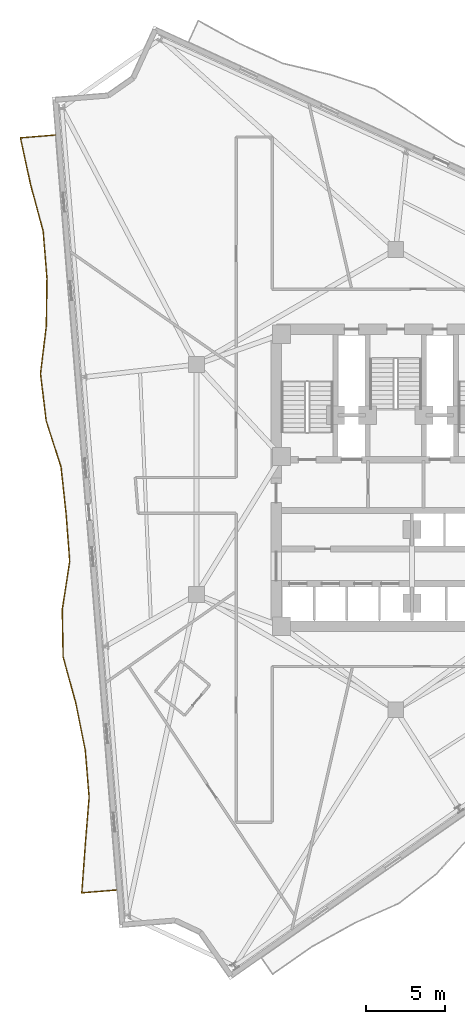
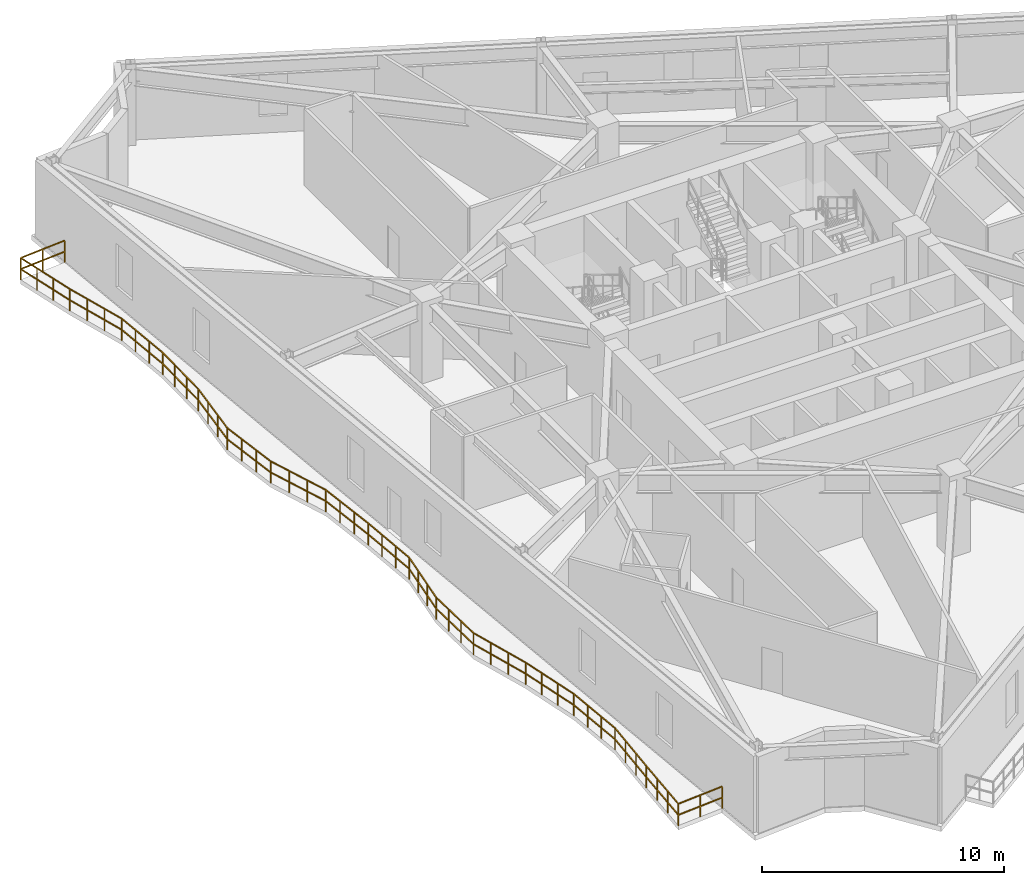
# One storey, part 8 of 11: 1 railing.
"""IFC4 building model written with IfcOpenShell, lengths in metres."""

from ifc_helpers import new_model, si_unit, direction, frame, origin, origin_2d, place, context, subcontext, project, spatial, rectangle, extrude, material, type_object, element, save


model = new_model("IFC4")

# Units and contexts
model_context = context("Model", 3, precision=1e-05, world=origin(), true_north=direction((0.0, 1.0)))
body_context = subcontext(model_context, "Body", "Model", "MODEL_VIEW")
ifc_project = project(units=[si_unit("LENGTHUNIT", "METRE"), si_unit("AREAUNIT", "SQUARE_METRE"), si_unit("VOLUMEUNIT", "CUBIC_METRE"), si_unit("PLANEANGLEUNIT", "RADIAN"), si_unit("MASSUNIT", "GRAM", prefix="KILO")], contexts=[model_context])

# Site, building, storey
site_placement = place(None, origin())
site = spatial("IfcSite", under=ifc_project, at=site_placement, CompositionType="ELEMENT")
building_placement = place(site_placement, origin())
building = spatial("IfcBuilding", under=site, at=building_placement, Name="Apsidion Concourse Tower", CompositionType="ELEMENT")
storey_placement = place(building_placement, frame((0.0, 0.0, 214.699951171875)))
storey = spatial("IfcBuildingStorey", under=building, at=storey_placement, Name="L50", CompositionType="ELEMENT", Elevation=214.699951171875)

# Railing
ifc_material = material(Name="Brushed stainless steel 316", Category="steel")
railing_type = type_object("IfcRailingType", Name="RL-BAL-1120", PredefinedType="BALUSTRADE", material=ifc_material)
railing_placement = place(storey_placement, frame((-17.59326171875, -25.86328125, 0.0)))
element("IfcRailing", 1, at=railing_placement, inside=storey, type_object=railing_type, Name="L50 Face 1 Rippling Balcony Balustrade", PredefinedType="BALUSTRADE", context=body_context, shape_type="SweptSolid", body=[
    extrude(rectangle(XDim=0.048095703125, YDim=0.048095703125, at=origin_2d()), frame((0.0, 0.0, 1.09619140625), z_axis=(-0.996719845004, -0.080929293683, 0.0), x_axis=(0.080929293683, -0.996719845004, 0.0)), (0.0, 0.0, 1.0), 2.1962890625),
    extrude(rectangle(XDim=0.048095703125, YDim=0.048095703125, at=origin_2d()), frame((0.0, 0.0, 0.5361328125), z_axis=(-0.996719845004, -0.080929293683, 0.0), x_axis=(0.080929293683, -0.996719845004, 0.0)), (0.0, 0.0, 1.0), 2.1962890625),
    extrude(rectangle(XDim=0.048095703125, YDim=0.048095703125, at=origin_2d()), frame((-2.18896484375, -0.177734375, 1.09619140625), z_axis=(0.071511497287, 0.997439775503, 0.0), x_axis=(-0.997439775503, 0.071511497287, 0.0)), (0.0, 0.0, 1.0), 3.01806640625),
    extrude(rectangle(XDim=0.048095703125, YDim=0.048095703125, at=origin_2d()), frame((-2.18896484375, -0.177734375, 0.5361328125), z_axis=(0.071511497287, 0.997439775503, 0.0), x_axis=(-0.997439775503, 0.071511497287, 0.0)), (0.0, 0.0, 1.0), 3.01806640625),
    extrude(rectangle(XDim=0.048095703125, YDim=0.048095703125, at=origin_2d()), frame((-1.97314453125, 2.83251953125, 1.09619140625), z_axis=(0.080852737772, 0.996726058049, 0.0), x_axis=(-0.996726058049, 0.080852737772, 0.0)), (0.0, 0.0, 1.0), 3.022705078125),
    extrude(rectangle(XDim=0.048095703125, YDim=0.048095703125, at=origin_2d()), frame((-1.97314453125, 2.83251953125, 0.5361328125), z_axis=(0.080852737772, 0.996726058049, 0.0), x_axis=(-0.996726058049, 0.080852737772, 0.0)), (0.0, 0.0, 1.0), 3.022705078125),
    extrude(rectangle(XDim=0.048095703125, YDim=0.048095703125, at=origin_2d()), frame((-1.728759765625, 5.84521484375, 1.09619140625), z_axis=(-0.080945526608, 0.996718526828, 0.0), x_axis=(-0.996718526828, -0.080945526608, 0.0)), (0.0, 0.0, 1.0), 2.98291015625),
    extrude(rectangle(XDim=0.048095703125, YDim=0.048095703125, at=origin_2d()), frame((-1.728759765625, 5.84521484375, 0.5361328125), z_axis=(-0.080945526608, 0.996718526828, 0.0), x_axis=(-0.996718526828, -0.080945526608, 0.0)), (0.0, 0.0, 1.0), 2.98291015625),
    extrude(rectangle(XDim=0.048095703125, YDim=0.048095703125, at=origin_2d()), frame((-1.97021484375, 8.818359375, 1.09619140625), z_axis=(-0.197178877732, 0.980367528112, 0.0), x_axis=(-0.980367528112, -0.197178877732, 0.0)), (0.0, 0.0, 1.0), 3.00390625),
    extrude(rectangle(XDim=0.048095703125, YDim=0.048095703125, at=origin_2d()), frame((-1.97021484375, 8.818359375, 0.5361328125), z_axis=(-0.197178877732, 0.980367528112, 0.0), x_axis=(-0.980367528112, -0.197178877732, 0.0)), (0.0, 0.0, 1.0), 3.00390625),
    extrude(rectangle(XDim=0.048095703125, YDim=0.048095703125, at=origin_2d()), frame((-2.5625, 11.76318359375, 1.09619140625), z_axis=(-0.264967705746, 0.964257286678, 0.0), x_axis=(-0.964257286678, -0.264967705746, 0.0)), (0.0, 0.0, 1.0), 3.035888671875),
    extrude(rectangle(XDim=0.048095703125, YDim=0.048095703125, at=origin_2d()), frame((-2.5625, 11.76318359375, 0.5361328125), z_axis=(-0.264967705746, 0.964257286678, 0.0), x_axis=(-0.964257286678, -0.264967705746, 0.0)), (0.0, 0.0, 1.0), 3.035888671875),
    extrude(rectangle(XDim=0.048095703125, YDim=0.048095703125, at=origin_2d()), frame((-3.366943359375, 14.690673828125, 1.09619140625), z_axis=(-0.017724525046, 0.999842908267, 0.0), x_axis=(-0.999842908267, -0.017724525046, 0.0)), (0.0, 0.0, 1.0), 2.989013671875),
    extrude(rectangle(XDim=0.048095703125, YDim=0.048095703125, at=origin_2d()), frame((-3.366943359375, 14.690673828125, 0.5361328125), z_axis=(-0.017724525046, 0.999842908267, 0.0), x_axis=(-0.999842908267, -0.017724525046, 0.0)), (0.0, 0.0, 1.0), 2.989013671875),
    extrude(rectangle(XDim=0.048095703125, YDim=0.048095703125, at=origin_2d()), frame((-3.419921875, 17.67919921875, 1.09619140625), z_axis=(0.152769021108, 0.988261921856, 0.0), x_axis=(-0.988261921856, 0.152769021108, 0.0)), (0.0, 0.0, 1.0), 3.066650390625),
    extrude(rectangle(XDim=0.048095703125, YDim=0.048095703125, at=origin_2d()), frame((-3.419921875, 17.67919921875, 0.5361328125), z_axis=(0.152769021108, 0.988261921856, 0.0), x_axis=(-0.988261921856, 0.152769021108, 0.0)), (0.0, 0.0, 1.0), 3.066650390625),
    extrude(rectangle(XDim=0.048095703125, YDim=0.048095703125, at=origin_2d()), frame((-2.951416015625, 20.7099609375, 1.09619140625), z_axis=(-0.075701390582, 0.997130532811, 0.0), x_axis=(-0.997130532811, -0.075701390582, 0.0)), (0.0, 0.0, 1.0), 2.983154296875),
    extrude(rectangle(XDim=0.048095703125, YDim=0.048095703125, at=origin_2d()), frame((-2.951416015625, 20.7099609375, 0.5361328125), z_axis=(-0.075701390582, 0.997130532811, 0.0), x_axis=(-0.997130532811, -0.075701390582, 0.0)), (0.0, 0.0, 1.0), 2.983154296875),
    extrude(rectangle(XDim=0.048095703125, YDim=0.048095703125, at=origin_2d()), frame((-3.17724609375, 23.6845703125, 1.09619140625), z_axis=(-0.107422829806, 0.994213425597, 0.0), x_axis=(-0.994213425597, -0.107422829806, 0.0)), (0.0, 0.0, 1.0), 2.984130859375),
    extrude(rectangle(XDim=0.048095703125, YDim=0.048095703125, at=origin_2d()), frame((-3.17724609375, 23.6845703125, 0.5361328125), z_axis=(-0.107422829806, 0.994213425597, 0.0), x_axis=(-0.994213425597, -0.107422829806, 0.0)), (0.0, 0.0, 1.0), 2.984130859375),
    extrude(rectangle(XDim=0.048095703125, YDim=0.048095703125, at=origin_2d()), frame((-3.497802734375, 26.6513671875, 1.09619140625), z_axis=(-0.305952425357, 0.952046802115, 0.0), x_axis=(-0.952046802115, -0.305952425357, 0.0)), (0.0, 0.0, 1.0), 3.0634765625),
    extrude(rectangle(XDim=0.048095703125, YDim=0.048095703125, at=origin_2d()), frame((-3.497802734375, 26.6513671875, 0.5361328125), z_axis=(-0.305952425357, 0.952046802115, 0.0), x_axis=(-0.952046802115, -0.305952425357, 0.0)), (0.0, 0.0, 1.0), 3.0634765625),
    extrude(rectangle(XDim=0.048095703125, YDim=0.048095703125, at=origin_2d()), frame((-4.43505859375, 29.56787109375, 1.09619140625), z_axis=(-0.118990429838, 0.992895401141, 0.0), x_axis=(-0.992895401141, -0.118990429838, 0.0)), (0.0, 0.0, 1.0), 2.9853515625),
    extrude(rectangle(XDim=0.048095703125, YDim=0.048095703125, at=origin_2d()), frame((-4.43505859375, 29.56787109375, 0.5361328125), z_axis=(-0.118990429838, 0.992895401141, 0.0), x_axis=(-0.992895401141, -0.118990429838, 0.0)), (0.0, 0.0, 1.0), 2.9853515625),
    extrude(rectangle(XDim=0.048095703125, YDim=0.048095703125, at=origin_2d()), frame((-4.790283203125, 32.531982421875, 1.09619140625), z_axis=(0.120204441757, 0.992749158741, 0.0), x_axis=(-0.992749158741, 0.120204441757, 0.0)), (0.0, 0.0, 1.0), 3.04443359375),
    extrude(rectangle(XDim=0.048095703125, YDim=0.048095703125, at=origin_2d()), frame((-4.790283203125, 32.531982421875, 0.5361328125), z_axis=(0.120204441757, 0.992749158741, 0.0), x_axis=(-0.992749158741, 0.120204441757, 0.0)), (0.0, 0.0, 1.0), 3.04443359375),
    extrude(rectangle(XDim=0.048095703125, YDim=0.048095703125, at=origin_2d()), frame((-4.42431640625, 35.554443359375, 1.09619140625), z_axis=(0.013444026086, 0.999909624997, 0.0), x_axis=(-0.999909624997, 0.013444026086, 0.0)), (0.0, 0.0, 1.0), 2.996337890625),
    extrude(rectangle(XDim=0.048095703125, YDim=0.048095703125, at=origin_2d()), frame((-4.42431640625, 35.554443359375, 0.5361328125), z_axis=(0.013444026086, 0.999909624997, 0.0), x_axis=(-0.999909624997, 0.013444026086, 0.0)), (0.0, 0.0, 1.0), 2.996337890625),
    extrude(rectangle(XDim=0.048095703125, YDim=0.048095703125, at=origin_2d()), frame((-4.384033203125, 38.550537109375, 1.09619140625), z_axis=(-0.081026835362, 0.996711920241, 0.0), x_axis=(-0.996711920241, -0.081026835362, 0.0)), (0.0, 0.0, 1.0), 2.98291015625),
    extrude(rectangle(XDim=0.048095703125, YDim=0.048095703125, at=origin_2d()), frame((-4.384033203125, 38.550537109375, 0.5361328125), z_axis=(-0.081026835362, 0.996711920241, 0.0), x_axis=(-0.996711920241, -0.081026835362, 0.0)), (0.0, 0.0, 1.0), 2.98291015625),
    extrude(rectangle(XDim=0.048095703125, YDim=0.048095703125, at=origin_2d()), frame((-4.625732421875, 41.523681640625, 1.09619140625), z_axis=(-0.261142116309, 0.965300365218, 0.0), x_axis=(-0.965300365218, -0.261142116309, 0.0)), (0.0, 0.0, 1.0), 3.03369140625),
    extrude(rectangle(XDim=0.048095703125, YDim=0.048095703125, at=origin_2d()), frame((-4.625732421875, 41.523681640625, 0.5361328125), z_axis=(-0.261142116309, 0.965300365218, 0.0), x_axis=(-0.965300365218, -0.261142116309, 0.0)), (0.0, 0.0, 1.0), 3.03369140625),
    extrude(rectangle(XDim=0.048095703125, YDim=0.048095703125, at=origin_2d()), frame((-5.41796875, 44.4521484375, 1.09619140625), z_axis=(-0.211833422672, 0.977305786865, 0.0), x_axis=(-0.977305786865, -0.211833422672, 0.0)), (0.0, 0.0, 1.0), 3.00927734375),
    extrude(rectangle(XDim=0.048095703125, YDim=0.048095703125, at=origin_2d()), frame((-5.41796875, 44.4521484375, 0.5361328125), z_axis=(-0.211833422672, 0.977305786865, 0.0), x_axis=(-0.977305786865, -0.211833422672, 0.0)), (0.0, 0.0, 1.0), 3.00927734375),
    extrude(rectangle(XDim=0.048095703125, YDim=0.048095703125, at=origin_2d()), frame((-6.055419921875, 47.39306640625, 1.09619140625), z_axis=(0.996713568455, 0.081006558113, 0.0), x_axis=(-0.081006558113, 0.996713568455, 0.0)), (0.0, 0.0, 1.0), 2.2001953125),
    extrude(rectangle(XDim=0.048095703125, YDim=0.048095703125, at=origin_2d()), frame((-6.055419921875, 47.39306640625, 0.5361328125), z_axis=(0.996713568455, 0.081006558113, 0.0), x_axis=(-0.081006558113, 0.996713568455, 0.0)), (0.0, 0.0, 1.0), 2.2001953125),
    extrude(rectangle(XDim=0.0419921875, YDim=0.0419921875, at=origin_2d()), origin(), (0.0, 0.0, 1.0), 1.072021484375),
    extrude(rectangle(XDim=0.0419921875, YDim=0.0419921875, at=origin_2d()), frame((-1.094482421875, -0.0888671875, 0.0)), (0.0, 0.0, 1.0), 1.072021484375),
    extrude(rectangle(XDim=0.0419921875, YDim=0.0419921875, at=origin_2d()), frame((-2.18896484375, -0.177734375, 0.0)), (0.0, 0.0, 1.0), 1.072021484375),
    extrude(rectangle(XDim=0.0419921875, YDim=0.0419921875, at=origin_2d()), frame((-2.116943359375, 0.82568359375, 0.0)), (0.0, 0.0, 1.0), 1.072021484375),
    extrude(rectangle(XDim=0.0419921875, YDim=0.0419921875, at=origin_2d()), frame((-2.045166015625, 1.8291015625, 0.0)), (0.0, 0.0, 1.0), 1.072021484375),
    extrude(rectangle(XDim=0.0419921875, YDim=0.0419921875, at=origin_2d()), frame((-1.97314453125, 2.83251953125, 0.0)), (0.0, 0.0, 1.0), 1.072021484375),
    extrude(rectangle(XDim=0.0419921875, YDim=0.0419921875, at=origin_2d()), frame((-1.8916015625, 3.836669921875, 0.0)), (0.0, 0.0, 1.0), 1.072021484375),
    extrude(rectangle(XDim=0.0419921875, YDim=0.0419921875, at=origin_2d()), frame((-1.810302734375, 4.841064453125, 0.0)), (0.0, 0.0, 1.0), 1.072021484375),
    extrude(rectangle(XDim=0.0419921875, YDim=0.0419921875, at=origin_2d()), frame((-1.728759765625, 5.84521484375, 0.0)), (0.0, 0.0, 1.0), 1.072021484375),
    extrude(rectangle(XDim=0.0419921875, YDim=0.0419921875, at=origin_2d()), frame((-1.809326171875, 6.836181640625, 0.0)), (0.0, 0.0, 1.0), 1.072021484375),
    extrude(rectangle(XDim=0.0419921875, YDim=0.0419921875, at=origin_2d()), frame((-1.8896484375, 7.827392578125, 0.0)), (0.0, 0.0, 1.0), 1.072021484375),
    extrude(rectangle(XDim=0.0419921875, YDim=0.0419921875, at=origin_2d()), frame((-1.97021484375, 8.818359375, 0.0)), (0.0, 0.0, 1.0), 1.072021484375),
    extrude(rectangle(XDim=0.0419921875, YDim=0.0419921875, at=origin_2d()), frame((-2.167724609375, 9.800048828125, 0.0)), (0.0, 0.0, 1.0), 1.072021484375),
    extrude(rectangle(XDim=0.0419921875, YDim=0.0419921875, at=origin_2d()), frame((-2.364990234375, 10.781494140625, 0.0)), (0.0, 0.0, 1.0), 1.072021484375),
    extrude(rectangle(XDim=0.0419921875, YDim=0.0419921875, at=origin_2d()), frame((-2.5625, 11.76318359375, 0.0)), (0.0, 0.0, 1.0), 1.072021484375),
    extrude(rectangle(XDim=0.0419921875, YDim=0.0419921875, at=origin_2d()), frame((-2.83056640625, 12.739013671875, 0.0)), (0.0, 0.0, 1.0), 1.072021484375),
    extrude(rectangle(XDim=0.0419921875, YDim=0.0419921875, at=origin_2d()), frame((-3.098876953125, 13.71484375, 0.0)), (0.0, 0.0, 1.0), 1.072021484375),
    extrude(rectangle(XDim=0.0419921875, YDim=0.0419921875, at=origin_2d()), frame((-3.366943359375, 14.690673828125, 0.0)), (0.0, 0.0, 1.0), 1.072021484375),
    extrude(rectangle(XDim=0.0419921875, YDim=0.0419921875, at=origin_2d()), frame((-3.384521484375, 15.686767578125, 0.0)), (0.0, 0.0, 1.0), 1.072021484375),
    extrude(rectangle(XDim=0.0419921875, YDim=0.0419921875, at=origin_2d()), frame((-3.40234375, 16.68310546875, 0.0)), (0.0, 0.0, 1.0), 1.072021484375),
    extrude(rectangle(XDim=0.0419921875, YDim=0.0419921875, at=origin_2d()), frame((-3.419921875, 17.67919921875, 0.0)), (0.0, 0.0, 1.0), 1.072021484375),
    extrude(rectangle(XDim=0.0419921875, YDim=0.0419921875, at=origin_2d()), frame((-3.263671875, 18.689453125, 0.0)), (0.0, 0.0, 1.0), 1.072021484375),
    extrude(rectangle(XDim=0.0419921875, YDim=0.0419921875, at=origin_2d()), frame((-3.107666015625, 19.69970703125, 0.0)), (0.0, 0.0, 1.0), 1.072021484375),
    extrude(rectangle(XDim=0.0419921875, YDim=0.0419921875, at=origin_2d()), frame((-2.951416015625, 20.7099609375, 0.0)), (0.0, 0.0, 1.0), 1.072021484375),
    extrude(rectangle(XDim=0.0419921875, YDim=0.0419921875, at=origin_2d()), frame((-3.026611328125, 21.701416015625, 0.0)), (0.0, 0.0, 1.0), 1.072021484375),
    extrude(rectangle(XDim=0.0419921875, YDim=0.0419921875, at=origin_2d()), frame((-3.10205078125, 22.693115234375, 0.0)), (0.0, 0.0, 1.0), 1.072021484375),
    extrude(rectangle(XDim=0.0419921875, YDim=0.0419921875, at=origin_2d()), frame((-3.17724609375, 23.6845703125, 0.0)), (0.0, 0.0, 1.0), 1.072021484375),
    extrude(rectangle(XDim=0.0419921875, YDim=0.0419921875, at=origin_2d()), frame((-3.2841796875, 24.673583984375, 0.0)), (0.0, 0.0, 1.0), 1.072021484375),
    extrude(rectangle(XDim=0.0419921875, YDim=0.0419921875, at=origin_2d()), frame((-3.390869140625, 25.662353515625, 0.0)), (0.0, 0.0, 1.0), 1.072021484375),
    extrude(rectangle(XDim=0.0419921875, YDim=0.0419921875, at=origin_2d()), frame((-3.497802734375, 26.6513671875, 0.0)), (0.0, 0.0, 1.0), 1.072021484375),
    extrude(rectangle(XDim=0.0419921875, YDim=0.0419921875, at=origin_2d()), frame((-3.810302734375, 27.62353515625, 0.0)), (0.0, 0.0, 1.0), 1.072021484375),
    extrude(rectangle(XDim=0.0419921875, YDim=0.0419921875, at=origin_2d()), frame((-4.12255859375, 28.595703125, 0.0)), (0.0, 0.0, 1.0), 1.072021484375),
    extrude(rectangle(XDim=0.0419921875, YDim=0.0419921875, at=origin_2d()), frame((-4.43505859375, 29.56787109375, 0.0)), (0.0, 0.0, 1.0), 1.072021484375),
    extrude(rectangle(XDim=0.0419921875, YDim=0.0419921875, at=origin_2d()), frame((-4.553466796875, 30.555908203125, 0.0)), (0.0, 0.0, 1.0), 1.072021484375),
    extrude(rectangle(XDim=0.0419921875, YDim=0.0419921875, at=origin_2d()), frame((-4.671875, 31.5439453125, 0.0)), (0.0, 0.0, 1.0), 1.072021484375),
    extrude(rectangle(XDim=0.0419921875, YDim=0.0419921875, at=origin_2d()), frame((-4.790283203125, 32.531982421875, 0.0)), (0.0, 0.0, 1.0), 1.072021484375),
    extrude(rectangle(XDim=0.0419921875, YDim=0.0419921875, at=origin_2d()), frame((-4.668212890625, 33.53955078125, 0.0)), (0.0, 0.0, 1.0), 1.072021484375),
    extrude(rectangle(XDim=0.0419921875, YDim=0.0419921875, at=origin_2d()), frame((-4.54638671875, 34.546875, 0.0)), (0.0, 0.0, 1.0), 1.072021484375),
    extrude(rectangle(XDim=0.0419921875, YDim=0.0419921875, at=origin_2d()), frame((-4.42431640625, 35.554443359375, 0.0)), (0.0, 0.0, 1.0), 1.072021484375),
    extrude(rectangle(XDim=0.0419921875, YDim=0.0419921875, at=origin_2d()), frame((-4.410888671875, 36.55322265625, 0.0)), (0.0, 0.0, 1.0), 1.072021484375),
    extrude(rectangle(XDim=0.0419921875, YDim=0.0419921875, at=origin_2d()), frame((-4.3974609375, 37.5517578125, 0.0)), (0.0, 0.0, 1.0), 1.072021484375),
    extrude(rectangle(XDim=0.0419921875, YDim=0.0419921875, at=origin_2d()), frame((-4.384033203125, 38.550537109375, 0.0)), (0.0, 0.0, 1.0), 1.072021484375),
    extrude(rectangle(XDim=0.0419921875, YDim=0.0419921875, at=origin_2d()), frame((-4.464599609375, 39.54150390625, 0.0)), (0.0, 0.0, 1.0), 1.072021484375),
    extrude(rectangle(XDim=0.0419921875, YDim=0.0419921875, at=origin_2d()), frame((-4.545166015625, 40.53271484375, 0.0)), (0.0, 0.0, 1.0), 1.072021484375),
    extrude(rectangle(XDim=0.0419921875, YDim=0.0419921875, at=origin_2d()), frame((-4.625732421875, 41.523681640625, 0.0)), (0.0, 0.0, 1.0), 1.072021484375),
    extrude(rectangle(XDim=0.0419921875, YDim=0.0419921875, at=origin_2d()), frame((-4.889892578125, 42.499755859375, 0.0)), (0.0, 0.0, 1.0), 1.072021484375),
    extrude(rectangle(XDim=0.0419921875, YDim=0.0419921875, at=origin_2d()), frame((-5.15380859375, 43.47607421875, 0.0)), (0.0, 0.0, 1.0), 1.072021484375),
    extrude(rectangle(XDim=0.0419921875, YDim=0.0419921875, at=origin_2d()), frame((-5.41796875, 44.4521484375, 0.0)), (0.0, 0.0, 1.0), 1.072021484375),
    extrude(rectangle(XDim=0.0419921875, YDim=0.0419921875, at=origin_2d()), frame((-5.63037109375, 45.432373046875, 0.0)), (0.0, 0.0, 1.0), 1.072021484375),
    extrude(rectangle(XDim=0.0419921875, YDim=0.0419921875, at=origin_2d()), frame((-5.843017578125, 46.412841796875, 0.0)), (0.0, 0.0, 1.0), 1.072021484375),
    extrude(rectangle(XDim=0.0419921875, YDim=0.0419921875, at=origin_2d()), frame((-6.055419921875, 47.39306640625, 0.0)), (0.0, 0.0, 1.0), 1.072021484375),
    extrude(rectangle(XDim=0.0419921875, YDim=0.0419921875, at=origin_2d()), frame((-4.958984375, 47.482177734375, 0.0)), (0.0, 0.0, 1.0), 1.072021484375),
    extrude(rectangle(XDim=0.0419921875, YDim=0.0419921875, at=origin_2d()), frame((-3.862548828125, 47.5712890625, 0.0)), (0.0, 0.0, 1.0), 1.072021484375),
])

save(model, "model.ifc")
